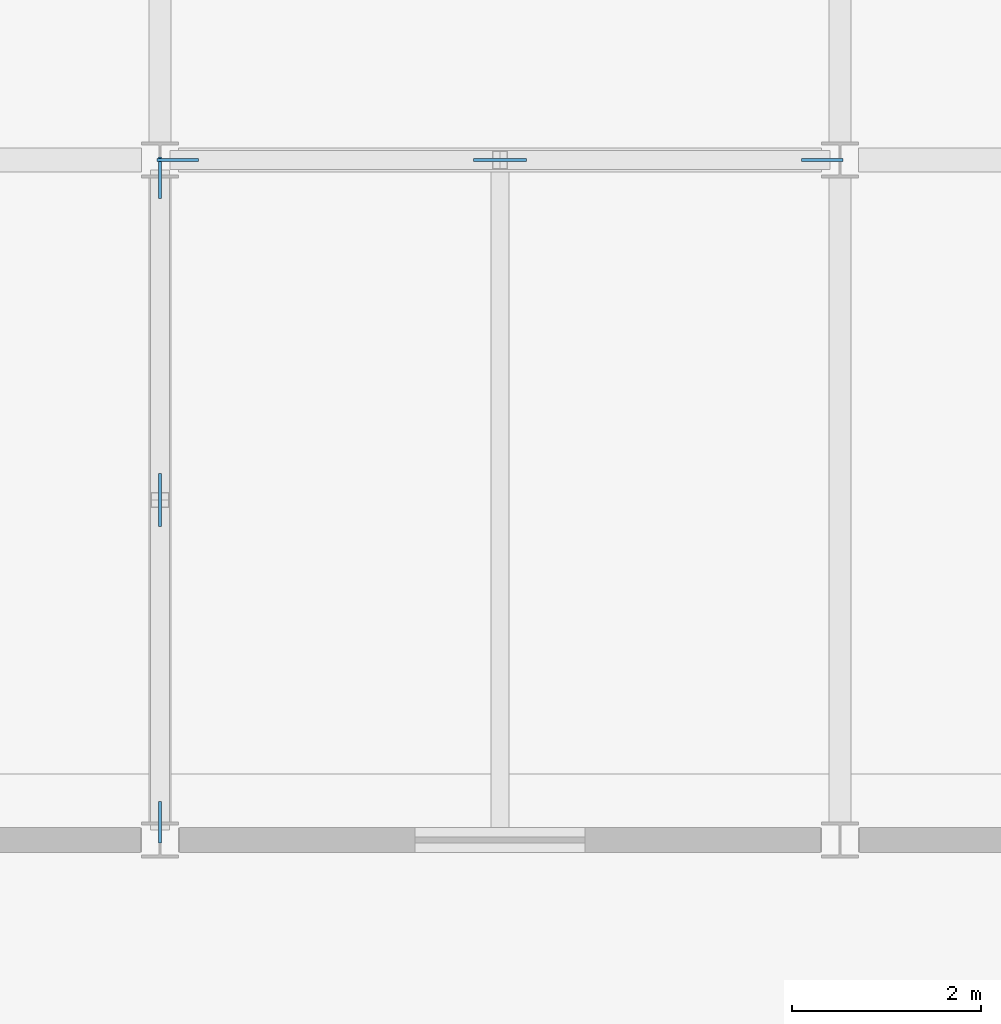
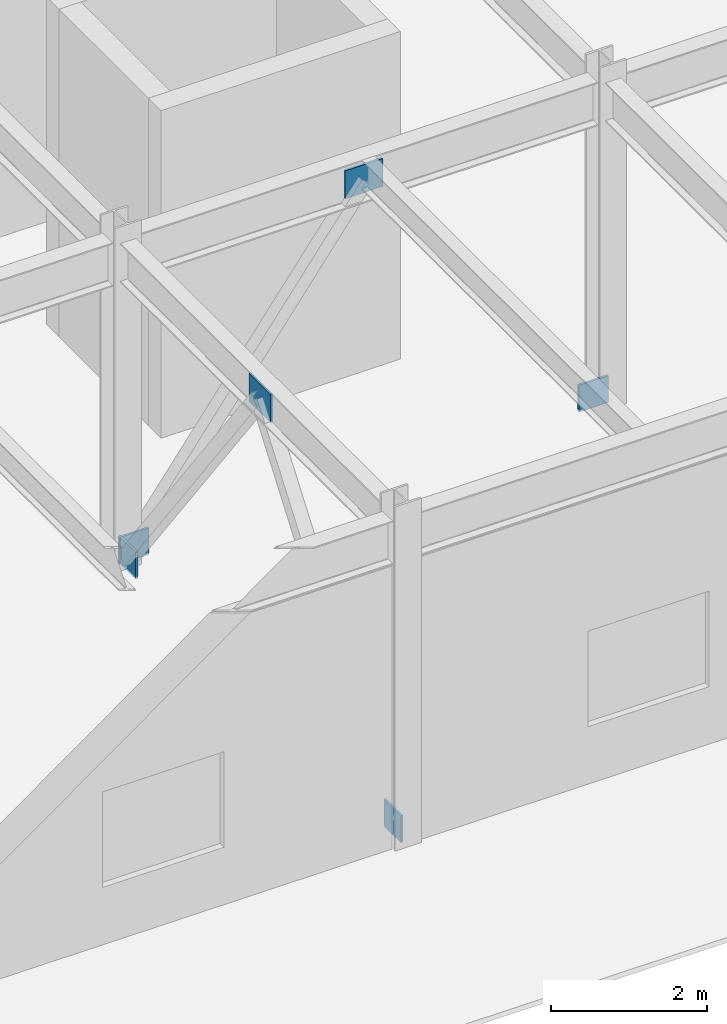
# One storey, part 69 of 104: 6 plates.
"""IFC4 building model written with IfcOpenShell, lengths in metres."""

from ifc_helpers import new_model, si_unit, direction, frame, origin, origin_2d, place, context, subcontext, project, spatial, rectangle, extrude, material, layer, layer_set, type_object, element, save


model = new_model("IFC4")

# Units and contexts
model_context = context("Model", 3, precision=1e-05, world=origin(), true_north=direction((0.0, 1.0)))
body_context = subcontext(model_context, "Body", "Model", "MODEL_VIEW")
ifc_project = project(units=[si_unit("LENGTHUNIT", "METRE"), si_unit("AREAUNIT", "SQUARE_METRE"), si_unit("VOLUMEUNIT", "CUBIC_METRE"), si_unit("PLANEANGLEUNIT", "RADIAN"), si_unit("MASSUNIT", "GRAM", prefix="KILO")], contexts=[model_context])

# Site, building, storey
site_placement = place(None, origin())
site = spatial("IfcSite", under=ifc_project, at=site_placement, CompositionType="ELEMENT")
building_placement = place(site_placement, origin())
building = spatial("IfcBuilding", under=site, at=building_placement, Name="Vaelcorin Mobility Hub", CompositionType="ELEMENT")
storey_placement = place(building_placement, origin())
storey = spatial("IfcBuildingStorey", under=building, at=storey_placement, Name="L00", CompositionType="ELEMENT", Elevation=0.0)

# Plates
ifc_material = material(Name="Steel ASTM A572 Grade 50", Category="steel")
ifc_layer = layer(ifc_material, 0.034912109375)
ifc_layer_set = layer_set([ifc_layer], Name="Steel ASTM A572 Grade 50")
plate_type = type_object("IfcPlateType", Name="PL-GN1", PredefinedType="USERDEFINED", material=ifc_layer_set)
for number, where, z_axis, x_axis, name in (
    (1, (160.989990234375, 13.199951171875, -0.030029296875), (0.0, 0.0, 1.0), (1.0, 0.0, 0.0), "SCBF Gusset Plate GN1 V5-BX1-L00-A"),
    (2, (167.81005859375, 13.199951171875, -0.030029296875), (0.0, 0.0, 1.0), (1.0, 0.0, 0.0), "SCBF Gusset Plate GN1 V5-BX1-L00-B"),
):
    element("IfcPlate", number, at=place(storey_placement, frame(where, z_axis=z_axis, x_axis=x_axis)), inside=storey, type_object=plate_type, Name=name, ObjectType="GUSSET PLATE", PredefinedType="USERDEFINED", context=body_context, shape_type="SweptSolid", body=[
        extrude(rectangle(XDim=0.43994140625, YDim=0.034912109375, at=origin_2d()), origin(), (0.0, 0.0, 1.0), 0.419921875),
    ])
plate_1_placement = place(storey_placement, frame((164.39990234375, 13.199951171875, 4.530029296875), z_axis=(0.0, 0.0, 1.0), x_axis=(1.0, 0.0, 0.0)))
element("IfcPlate", 3, at=plate_1_placement, inside=storey, type_object=plate_type, Name="SCBF Apex Gusset GN1 V5-BX1-L00", ObjectType="GUSSET PLATE", PredefinedType="USERDEFINED", context=body_context, shape_type="SweptSolid", body=[
    extrude(rectangle(XDim=0.56005859375, YDim=0.034912109375, at=origin_2d()), origin(), (0.0, 0.0, 1.0), 0.43994140625),
])
for number, where, z_axis, x_axis, name in (
    (4, (160.800048828125, 6.18994140625, -0.030029296875), (0.0, 0.0, 1.0), (0.0, 1.0, 0.0), "SCBF Gusset Plate GN1 V5-BY1-L00-A"),
    (5, (160.800048828125, 13.010009765625, -0.030029296875), (0.0, 0.0, 1.0), (0.0, 1.0, 0.0), "SCBF Gusset Plate GN1 V5-BY1-L00-B"),
):
    element("IfcPlate", number, at=place(storey_placement, frame(where, z_axis=z_axis, x_axis=x_axis)), inside=storey, type_object=plate_type, Name=name, ObjectType="GUSSET PLATE", PredefinedType="USERDEFINED", context=body_context, shape_type="SweptSolid", body=[
        extrude(rectangle(XDim=0.43994140625, YDim=0.034912109375, at=origin_2d()), origin(), (0.0, 0.0, 1.0), 0.419921875),
    ])
plate_2_placement = place(storey_placement, frame((160.800048828125, 9.60009765625, 4.530029296875), z_axis=(0.0, 0.0, 1.0), x_axis=(0.0, 1.0, 0.0)))
element("IfcPlate", 6, at=plate_2_placement, inside=storey, type_object=plate_type, Name="SCBF Apex Gusset GN1 V5-BY1-L00", ObjectType="GUSSET PLATE", PredefinedType="USERDEFINED", context=body_context, shape_type="SweptSolid", body=[
    extrude(rectangle(XDim=0.56005859375, YDim=0.034912109375, at=origin_2d()), origin(), (0.0, 0.0, 1.0), 0.43994140625),
])

save(model, "model.ifc")
